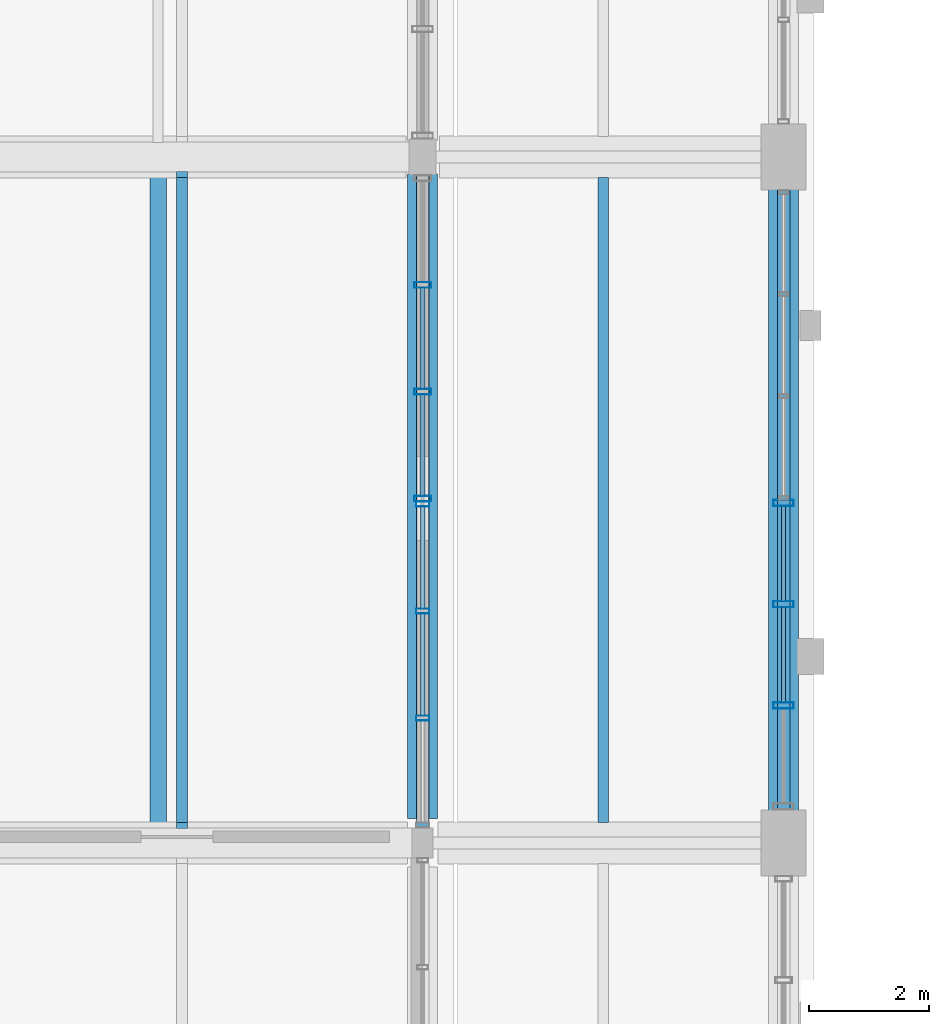
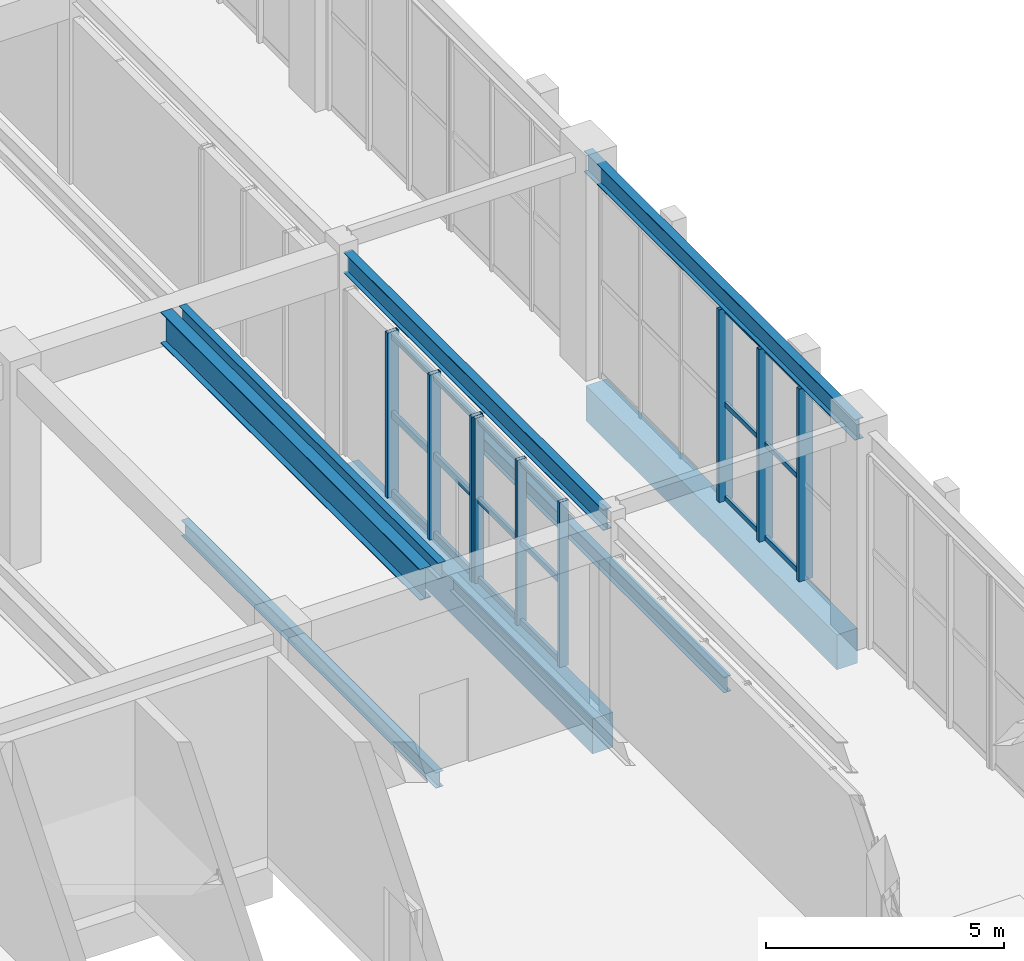
# One storey, part 32 of 113: 27 members, 8 beams, 3 elements without a shape of their own.
"""IFC4 building model written with IfcOpenShell, lengths in metres."""

from ifc_helpers import new_model, si_unit, direction, frame, origin, origin_2d, place, context, subcontext, project, spatial, rectangle, hollow_rectangle, i_section, extrude, material, layer, layer_set, material_profile, profile_set, type_object, element, aggregate, save


model = new_model("IFC4")

# Units and contexts
model_context = context("Model", 3, precision=1e-05, world=origin(), true_north=direction((0.0, 1.0)))
body_context = subcontext(model_context, "Body", "Model", "MODEL_VIEW")
ifc_project = project(units=[si_unit("LENGTHUNIT", "METRE"), si_unit("AREAUNIT", "SQUARE_METRE"), si_unit("VOLUMEUNIT", "CUBIC_METRE"), si_unit("PLANEANGLEUNIT", "RADIAN"), si_unit("MASSUNIT", "GRAM", prefix="KILO"), si_unit("POWERUNIT", "WATT"), si_unit("THERMODYNAMICTEMPERATUREUNIT", "KELVIN")], contexts=[model_context])

# Site, building, storey
site_placement = place(None, origin())
site = spatial("IfcSite", under=ifc_project, at=site_placement, CompositionType="ELEMENT")
building_placement = place(site_placement, origin())
building = spatial("IfcBuilding", under=site, at=building_placement, Name="Kelmbourne Parkland Aquatics Centre", CompositionType="ELEMENT")
storey_placement = place(building_placement, origin())
storey = spatial("IfcBuildingStorey", under=building, at=storey_placement, Name="L00", CompositionType="ELEMENT", Elevation=0.0)

# Beams
ifc_material_1 = material(Name="Concrete C40/50", Category="concrete")
ifc_material_profile_1 = material_profile(ifc_material_1, rectangle(XDim=0.5, YDim=0.89990234375, at=origin_2d()), Name="RC 500x900")
ifc_profile_set_1 = profile_set([ifc_material_profile_1], Name="Concrete C40/50")
beam_type_1 = type_object("IfcBeamType", Name="BM-G03", PredefinedType="BEAM", material=ifc_profile_set_1)
beam_1_placement = place(storey_placement, frame((40.0, 46.804931640625, -0.72998046875), z_axis=(0.0, 1.0, 0.0), x_axis=(-1.0, 0.0, 0.0)))
element("IfcBeam", 1, at=beam_1_placement, inside=storey, type_object=beam_type_1, Name="Primary girder 06-08 Grid F (L00)", PredefinedType="BEAM", context=body_context, shape_type="SweptSolid", body=[
    extrude(rectangle(XDim=0.5, YDim=0.89990234375, at=origin_2d()), origin(), (0.0, 0.0, 1.0), 10.715087890625),
])
beam_2_placement = place(storey_placement, frame((46.0, 46.905029296875, -0.72998046875), z_axis=(0.0, 1.0, 0.0), x_axis=(-1.0, 0.0, 0.0)))
element("IfcBeam", 2, at=beam_2_placement, inside=storey, type_object=beam_type_1, Name="Primary girder 06-08 Grid G (L00)", PredefinedType="BEAM", context=body_context, shape_type="SweptSolid", body=[
    extrude(rectangle(XDim=0.5, YDim=0.89990234375, at=origin_2d()), origin(), (0.0, 0.0, 1.0), 10.56494140625),
])
ifc_material_2 = material(Name="Structural steel AS/NZS 3679.1 Grade 300", Category="steel")
ifc_material_profile_2 = material_profile(ifc_material_2, i_section(OverallWidth=0.177978515625, OverallDepth=0.406005859375, WebThickness=0.0078125, FlangeThickness=0.0126953125, at=origin_2d()), Name="410UB59.7")
ifc_profile_set_2 = profile_set([ifc_material_profile_2], Name="Structural steel AS/NZS 3679.1 Grade 300")
beam_type_2 = type_object("IfcBeamType", Name="BM-J01", PredefinedType="JOIST", material=ifc_profile_set_2)
for number, where, z_axis, x_axis, name in (
    (3, (36.0, 46.741943359375, -0.48291015625), (0.0, 1.0, 0.0), (-1.0, 0.0, 0.0), "Secondary floor joist E-F/06-08 #1 (L00)"),
    (4, (43.0, 46.741943359375, -0.48291015625), (0.0, 1.0, 0.0), (-1.0, 0.0, 0.0), "Secondary floor joist F-G/06-08 #1 (L00)"),
):
    element("IfcBeam", number, at=place(storey_placement, frame(where, z_axis=z_axis, x_axis=x_axis)), inside=storey, type_object=beam_type_2, Name=name, PredefinedType="JOIST", context=body_context, shape_type="SweptSolid", body=[
        extrude(i_section(OverallWidth=0.177978515625, OverallDepth=0.406005859375, WebThickness=0.0078125, FlangeThickness=0.0126953125, at=origin_2d()), origin(), (0.0, 0.0, 1.0), 10.716064453125),
    ])
beam_3_placement = place(storey_placement, frame((36.0, 46.64208984375, 4.95703125), z_axis=(0.0, 1.0, 0.0), x_axis=(-1.0, 0.0, 0.0)))
element("IfcBeam", 5, at=beam_3_placement, inside=storey, type_object=beam_type_2, Name="Secondary floor joist E-F/06-08 #1 (L01)", PredefinedType="JOIST", context=body_context, shape_type="SweptSolid", body=[
    extrude(i_section(OverallWidth=0.177978515625, OverallDepth=0.406005859375, WebThickness=0.0078125, FlangeThickness=0.0126953125, at=origin_2d()), origin(), (0.0, 0.0, 1.0), 10.916015625),
])
ifc_material_3 = material(Name="Welded plate steel AS/NZS 3678 Grade 350", Category="steel")
ifc_material_profile_3 = material_profile(ifc_material_3, i_section(OverallWidth=0.27490234375, OverallDepth=0.800048828125, WebThickness=0.010009765625, FlangeThickness=0.02001953125, at=origin_2d()), Name="800WB146")
ifc_profile_set_3 = profile_set([ifc_material_profile_3], Name="Welded plate steel AS/NZS 3678 Grade 350")
beam_type_3 = type_object("IfcBeamType", Name="BM-S08", PredefinedType="BEAM", material=ifc_profile_set_3)
beam_4_placement = place(storey_placement, frame((35.60009765625, 46.64208984375, 4.760009765625), z_axis=(0.0, 1.0, 0.0), x_axis=(-1.0, 0.0, 0.0)))
element("IfcBeam", 6, at=beam_4_placement, inside=storey, type_object=beam_type_3, Name="Deck secondary trim beam 08", PredefinedType="BEAM", context=body_context, shape_type="SweptSolid", body=[
    extrude(i_section(OverallWidth=0.27490234375, OverallDepth=0.800048828125, WebThickness=0.010009765625, FlangeThickness=0.02001953125, at=origin_2d()), origin(), (0.0, 0.0, 1.0), 10.916015625),
])
ifc_material_profile_4 = material_profile(ifc_material_2, i_section(OverallWidth=0.208984375, OverallDepth=0.532958984375, WebThickness=0.01025390625, FlangeThickness=0.015625, at=origin_2d()), Name="530UB92.4")
ifc_profile_set_4 = profile_set([ifc_material_profile_4], Name="Structural steel AS/NZS 3679.1 Grade 300")
beam_type_4 = type_object("IfcBeamType", Name="BM-SP02", PredefinedType="SPANDREL", material=ifc_profile_set_4)
beam_5_placement = place(storey_placement, frame((40.0, 46.60498046875, 4.8935546875), z_axis=(0.0, 1.0, 0.0), x_axis=(-1.0, 0.0, 0.0)))
element("IfcBeam", 7, at=beam_5_placement, inside=storey, type_object=beam_type_4, Name="Perimeter spandrel 06-08 Grid F (L01)", PredefinedType="SPANDREL", context=body_context, shape_type="SweptSolid", body=[
    extrude(i_section(OverallWidth=0.208984375, OverallDepth=0.532958984375, WebThickness=0.01025390625, FlangeThickness=0.015625, at=origin_2d()), origin(), (0.0, 0.0, 1.0), 10.93994140625),
])
beam_6_placement = place(storey_placement, frame((46.0, 46.39990234375, 5.2333984375), z_axis=(0.0, 1.0, 0.0), x_axis=(-1.0, 0.0, 0.0)))
element("IfcBeam", 8, at=beam_6_placement, inside=storey, type_object=beam_type_4, Name="Perimeter spandrel 06-08 Grid G (L01_COL)", PredefinedType="SPANDREL", context=body_context, shape_type="SweptSolid", body=[
    extrude(i_section(OverallWidth=0.208984375, OverallDepth=0.532958984375, WebThickness=0.01025390625, FlangeThickness=0.015625, at=origin_2d()), origin(), (0.0, 0.0, 1.0), 11.400146484375),
])

# Curtain wall, members
ifc_material_4 = material(Name="Thermally broken anodised aluminium framing", Category="aluminium")
ifc_layer_1 = layer(ifc_material_4, 0.179931640625)
ifc_layer_set_1 = layer_set([ifc_layer_1], Name="Thermally broken anodised aluminium framing")
curtain_wall_type_1 = type_object("IfcCurtainWallType", Name="CW-01", PredefinedType="NOTDEFINED", material=ifc_layer_set_1)
curtain_wall_1_placement = place(storey_placement, origin())
curtain_wall_1 = element("IfcCurtainWall", 9, at=curtain_wall_1_placement, inside=storey, type_object=curtain_wall_type_1, Name="Facade curtain wall CW-L00-217", PredefinedType="NOTDEFINED")
ifc_material_profile_5 = material_profile(ifc_material_4, hollow_rectangle(XDim=0.0849609375, YDim=0.219970703125, WallThickness=0.0048828125, at=origin_2d()), Name="CW-M 85x220")
ifc_profile_set_5 = profile_set([ifc_material_profile_5], Name="Thermally broken anodised aluminium framing")
member_type_1 = type_object("IfcMemberType", Name="MB-MUL-3", PredefinedType="MULLION", material=ifc_profile_set_5)
member_1_placement = place(storey_placement, frame((40.0, 48.473876953125, 0.0), z_axis=(0.0, 0.0, 1.0), x_axis=(0.0, 1.0, 0.0)))
member_1 = element("IfcMember", 10, at=member_1_placement, type_object=member_type_1, Name="CW-L00-217 mullion 1", PredefinedType="MULLION", context=body_context, shape_type="SweptSolid", body=[
    extrude(hollow_rectangle(XDim=0.0849609375, YDim=0.219970703125, WallThickness=0.0048828125, at=origin_2d()), origin(), (0.0, 0.0, 1.0), 4.2451171875),
])
member_2_placement = place(storey_placement, frame((40.0, 50.253173828125, 0.0), z_axis=(0.0, 0.0, 1.0), x_axis=(0.0, 1.0, 0.0)))
member_2 = element("IfcMember", 11, at=member_2_placement, type_object=member_type_1, Name="CW-L00-217 mullion 2", PredefinedType="MULLION", context=body_context, shape_type="SweptSolid", body=[
    extrude(hollow_rectangle(XDim=0.0849609375, YDim=0.219970703125, WallThickness=0.0048828125, at=origin_2d()), origin(), (0.0, 0.0, 1.0), 4.2451171875),
])
member_3_placement = place(storey_placement, frame((40.0, 52.032470703125, 0.0), z_axis=(0.0, 0.0, 1.0), x_axis=(0.0, 1.0, 0.0)))
member_3 = element("IfcMember", 12, at=member_3_placement, type_object=member_type_1, Name="CW-L00-217 mullion 3", PredefinedType="MULLION", context=body_context, shape_type="SweptSolid", body=[
    extrude(hollow_rectangle(XDim=0.0849609375, YDim=0.219970703125, WallThickness=0.0048828125, at=origin_2d()), origin(), (0.0, 0.0, 1.0), 4.2451171875),
])

ifc_layer_2 = layer(ifc_material_4, 0.179931640625)
ifc_layer_set_2 = layer_set([ifc_layer_2], Name="Thermally broken anodised aluminium framing")
curtain_wall_type_2 = type_object("IfcCurtainWallType", Name="CW-02", PredefinedType="NOTDEFINED", material=ifc_layer_set_2)
curtain_wall_2_placement = place(storey_placement, origin())
curtain_wall_2 = element("IfcCurtainWall", 13, at=curtain_wall_2_placement, inside=storey, type_object=curtain_wall_type_2, Name="Facade curtain wall CW-L00-218", PredefinedType="NOTDEFINED")
ifc_material_profile_6 = material_profile(ifc_material_4, hollow_rectangle(XDim=0.094970703125, YDim=0.280029296875, WallThickness=0.005615234375, at=origin_2d()), Name="CW-M 95x280")
ifc_profile_set_6 = profile_set([ifc_material_profile_6], Name="Thermally broken anodised aluminium framing")
member_type_2 = type_object("IfcMemberType", Name="MB-MUL-4", PredefinedType="MULLION", material=ifc_profile_set_6)
member_4_placement = place(storey_placement, frame((40.0, 52.12255859375, 0.0), z_axis=(0.0, 0.0, 1.0), x_axis=(0.0, 1.0, 0.0)))
member_4 = element("IfcMember", 14, at=member_4_placement, type_object=member_type_2, Name="CW-L00-218 mullion 0", PredefinedType="MULLION", context=body_context, shape_type="SweptSolid", body=[
    extrude(hollow_rectangle(XDim=0.094970703125, YDim=0.280029296875, WallThickness=0.005615234375, at=origin_2d()), origin(), (0.0, 0.0, 1.0), 4.2451171875),
])
member_5_placement = place(storey_placement, frame((40.0, 53.8984375, 0.0), z_axis=(0.0, 0.0, 1.0), x_axis=(0.0, 1.0, 0.0)))
member_5 = element("IfcMember", 15, at=member_5_placement, type_object=member_type_2, Name="CW-L00-218 mullion 1", PredefinedType="MULLION", context=body_context, shape_type="SweptSolid", body=[
    extrude(hollow_rectangle(XDim=0.094970703125, YDim=0.280029296875, WallThickness=0.005615234375, at=origin_2d()), origin(), (0.0, 0.0, 1.0), 4.2451171875),
])
member_6_placement = place(storey_placement, frame((40.0, 55.674560546875, 0.0), z_axis=(0.0, 0.0, 1.0), x_axis=(0.0, 1.0, 0.0)))
member_6 = element("IfcMember", 16, at=member_6_placement, type_object=member_type_2, Name="CW-L00-218 mullion 2", PredefinedType="MULLION", context=body_context, shape_type="SweptSolid", body=[
    extrude(hollow_rectangle(XDim=0.094970703125, YDim=0.280029296875, WallThickness=0.005615234375, at=origin_2d()), origin(), (0.0, 0.0, 1.0), 4.2451171875),
])

ifc_layer_3 = layer(ifc_material_4, 0.179931640625)
ifc_layer_set_3 = layer_set([ifc_layer_3], Name="Thermally broken anodised aluminium framing")
curtain_wall_type_3 = type_object("IfcCurtainWallType", Name="CW-06", PredefinedType="NOTDEFINED", material=ifc_layer_set_3)
curtain_wall_3_placement = place(storey_placement, origin())
curtain_wall_3 = element("IfcCurtainWall", 17, at=curtain_wall_3_placement, inside=storey, type_object=curtain_wall_type_3, Name="Facade curtain wall CW-L00-174", PredefinedType="NOTDEFINED")
ifc_material_profile_7 = material_profile(ifc_material_4, hollow_rectangle(XDim=0.10498046875, YDim=0.340087890625, WallThickness=0.006103515625, at=origin_2d()), Name="CW-M 105x340")
ifc_profile_set_7 = profile_set([ifc_material_profile_7], Name="Thermally broken anodised aluminium framing")
member_type_3 = type_object("IfcMemberType", Name="MB-MUL-5", PredefinedType="MULLION", material=ifc_profile_set_7)
member_7_placement = place(storey_placement, frame((46.0, 48.685546875, 0.0), z_axis=(0.0, 0.0, 1.0), x_axis=(0.0, 1.0, 0.0)))
member_7 = element("IfcMember", 18, at=member_7_placement, type_object=member_type_3, Name="CW-L00-174 mullion 1", PredefinedType="MULLION", context=body_context, shape_type="SweptSolid", body=[
    extrude(hollow_rectangle(XDim=0.10498046875, YDim=0.340087890625, WallThickness=0.006103515625, at=origin_2d()), origin(), (0.0, 0.0, 1.0), 4.951904296875),
])
member_8_placement = place(storey_placement, frame((46.0, 50.366455078125, 0.0), z_axis=(0.0, 0.0, 1.0), x_axis=(0.0, 1.0, 0.0)))
member_8 = element("IfcMember", 19, at=member_8_placement, type_object=member_type_3, Name="CW-L00-174 mullion 2", PredefinedType="MULLION", context=body_context, shape_type="SweptSolid", body=[
    extrude(hollow_rectangle(XDim=0.10498046875, YDim=0.340087890625, WallThickness=0.006103515625, at=origin_2d()), origin(), (0.0, 0.0, 1.0), 4.951904296875),
])
member_9_placement = place(storey_placement, frame((46.0, 52.047607421875, 0.0), z_axis=(0.0, 0.0, 1.0), x_axis=(0.0, 1.0, 0.0)))
member_9 = element("IfcMember", 20, at=member_9_placement, type_object=member_type_3, Name="CW-L00-174 mullion 3", PredefinedType="MULLION", context=body_context, shape_type="SweptSolid", body=[
    extrude(hollow_rectangle(XDim=0.10498046875, YDim=0.340087890625, WallThickness=0.006103515625, at=origin_2d()), origin(), (0.0, 0.0, 1.0), 4.951904296875),
])
ifc_material_profile_8 = material_profile(ifc_material_4, hollow_rectangle(XDim=0.06494140625, YDim=0.1201171875, WallThickness=0.00341796875, at=origin_2d()), Name="CW-T 65x120")
ifc_profile_set_8 = profile_set([ifc_material_profile_8], Name="Thermally broken anodised aluminium framing")
member_type_4 = type_object("IfcMemberType", Name="MB-TRN-1", PredefinedType="USERDEFINED", material=ifc_profile_set_8)
member_10_placement = place(storey_placement, frame((46.0, 48.73388671875, 0.06298828125), z_axis=(0.0, 1.0, 0.0), x_axis=(-1.0, 0.0, 0.0)))
member_10 = element("IfcMember", 21, at=member_10_placement, type_object=member_type_4, Name="CW-L00-174 transom 0-1", ObjectType="TRANSOM", PredefinedType="USERDEFINED", context=body_context, shape_type="SweptSolid", body=[
    extrude(hollow_rectangle(XDim=0.06494140625, YDim=0.1201171875, WallThickness=0.00341796875, at=origin_2d()), origin(), (0.0, 0.0, 1.0), 1.584228515625),
])
member_11_placement = place(storey_placement, frame((46.0, 50.4150390625, 0.06298828125), z_axis=(0.0, 1.0, 0.0), x_axis=(-1.0, 0.0, 0.0)))
member_11 = element("IfcMember", 22, at=member_11_placement, type_object=member_type_4, Name="CW-L00-174 transom 0-2", ObjectType="TRANSOM", PredefinedType="USERDEFINED", context=body_context, shape_type="SweptSolid", body=[
    extrude(hollow_rectangle(XDim=0.06494140625, YDim=0.1201171875, WallThickness=0.00341796875, at=origin_2d()), origin(), (0.0, 0.0, 1.0), 1.583984375),
])
member_12_placement = place(storey_placement, frame((46.0, 48.73388671875, 2.47607421875), z_axis=(0.0, 1.0, 0.0), x_axis=(-1.0, 0.0, 0.0)))
member_12 = element("IfcMember", 23, at=member_12_placement, type_object=member_type_4, Name="CW-L00-174 transom 1-1", ObjectType="TRANSOM", PredefinedType="USERDEFINED", context=body_context, shape_type="SweptSolid", body=[
    extrude(hollow_rectangle(XDim=0.06494140625, YDim=0.1201171875, WallThickness=0.00341796875, at=origin_2d()), origin(), (0.0, 0.0, 1.0), 1.584228515625),
])
member_13_placement = place(storey_placement, frame((46.0, 50.4150390625, 2.47607421875), z_axis=(0.0, 1.0, 0.0), x_axis=(-1.0, 0.0, 0.0)))
member_13 = element("IfcMember", 24, at=member_13_placement, type_object=member_type_4, Name="CW-L00-174 transom 1-2", ObjectType="TRANSOM", PredefinedType="USERDEFINED", context=body_context, shape_type="SweptSolid", body=[
    extrude(hollow_rectangle(XDim=0.06494140625, YDim=0.1201171875, WallThickness=0.00341796875, at=origin_2d()), origin(), (0.0, 0.0, 1.0), 1.583984375),
])
member_14_placement = place(storey_placement, frame((46.0, 48.73388671875, 4.888916015625), z_axis=(0.0, 1.0, 0.0), x_axis=(-1.0, 0.0, 0.0)))
member_14 = element("IfcMember", 25, at=member_14_placement, type_object=member_type_4, Name="CW-L00-174 transom 2-1", ObjectType="TRANSOM", PredefinedType="USERDEFINED", context=body_context, shape_type="SweptSolid", body=[
    extrude(hollow_rectangle(XDim=0.06494140625, YDim=0.1201171875, WallThickness=0.00341796875, at=origin_2d()), origin(), (0.0, 0.0, 1.0), 1.584228515625),
])
member_15_placement = place(storey_placement, frame((46.0, 50.4150390625, 4.888916015625), z_axis=(0.0, 1.0, 0.0), x_axis=(-1.0, 0.0, 0.0)))
member_15 = element("IfcMember", 26, at=member_15_placement, type_object=member_type_4, Name="CW-L00-174 transom 2-2", ObjectType="TRANSOM", PredefinedType="USERDEFINED", context=body_context, shape_type="SweptSolid", body=[
    extrude(hollow_rectangle(XDim=0.06494140625, YDim=0.1201171875, WallThickness=0.00341796875, at=origin_2d()), origin(), (0.0, 0.0, 1.0), 1.583984375),
])
aggregate(curtain_wall_3, [member_7, member_8, member_9, member_10, member_11, member_12, member_13, member_14, member_15])

# Member
ifc_material_profile_9 = material_profile(ifc_material_4, hollow_rectangle(XDim=0.074951171875, YDim=0.14990234375, WallThickness=0.00390625, at=origin_2d()), Name="CW-T 75x150")
ifc_profile_set_9 = profile_set([ifc_material_profile_9], Name="Thermally broken anodised aluminium framing")
member_type_5 = type_object("IfcMemberType", Name="MB-TRN-2", PredefinedType="USERDEFINED", material=ifc_profile_set_9)
member_16_placement = place(storey_placement, frame((40.0, 48.51220703125, 0.077880859375), z_axis=(0.0, 1.0, 0.0), x_axis=(-1.0, 0.0, 0.0)))
member_16 = element("IfcMember", 27, at=member_16_placement, type_object=member_type_5, Name="CW-L00-217 transom 0-1", ObjectType="TRANSOM", PredefinedType="USERDEFINED", context=body_context, shape_type="SweptSolid", body=[
    extrude(hollow_rectangle(XDim=0.074951171875, YDim=0.14990234375, WallThickness=0.00390625, at=origin_2d()), origin(), (0.0, 0.0, 1.0), 1.702392578125),
])

member_17_placement = place(storey_placement, frame((40.0, 50.291748046875, 0.077880859375), z_axis=(0.0, 1.0, 0.0), x_axis=(-1.0, 0.0, 0.0)))
member_17 = element("IfcMember", 28, at=member_17_placement, type_object=member_type_5, Name="CW-L00-217 transom 0-2", ObjectType="TRANSOM", PredefinedType="USERDEFINED", context=body_context, shape_type="SweptSolid", body=[
    extrude(hollow_rectangle(XDim=0.074951171875, YDim=0.14990234375, WallThickness=0.00390625, at=origin_2d()), origin(), (0.0, 0.0, 1.0), 1.7021484375),
])

member_18_placement = place(storey_placement, frame((40.0, 48.51220703125, 2.12255859375), z_axis=(0.0, 1.0, 0.0), x_axis=(-1.0, 0.0, 0.0)))
member_18 = element("IfcMember", 29, at=member_18_placement, type_object=member_type_5, Name="CW-L00-217 transom 1-1", ObjectType="TRANSOM", PredefinedType="USERDEFINED", context=body_context, shape_type="SweptSolid", body=[
    extrude(hollow_rectangle(XDim=0.074951171875, YDim=0.14990234375, WallThickness=0.00390625, at=origin_2d()), origin(), (0.0, 0.0, 1.0), 1.702392578125),
])

member_19_placement = place(storey_placement, frame((40.0, 50.291748046875, 2.12255859375), z_axis=(0.0, 1.0, 0.0), x_axis=(-1.0, 0.0, 0.0)))
member_19 = element("IfcMember", 30, at=member_19_placement, type_object=member_type_5, Name="CW-L00-217 transom 1-2", ObjectType="TRANSOM", PredefinedType="USERDEFINED", context=body_context, shape_type="SweptSolid", body=[
    extrude(hollow_rectangle(XDim=0.074951171875, YDim=0.14990234375, WallThickness=0.00390625, at=origin_2d()), origin(), (0.0, 0.0, 1.0), 1.7021484375),
])

member_20_placement = place(storey_placement, frame((40.0, 48.51220703125, 4.1669921875), z_axis=(0.0, 1.0, 0.0), x_axis=(-1.0, 0.0, 0.0)))
member_20 = element("IfcMember", 31, at=member_20_placement, type_object=member_type_5, Name="CW-L00-217 transom 2-1", ObjectType="TRANSOM", PredefinedType="USERDEFINED", context=body_context, shape_type="SweptSolid", body=[
    extrude(hollow_rectangle(XDim=0.074951171875, YDim=0.14990234375, WallThickness=0.00390625, at=origin_2d()), origin(), (0.0, 0.0, 1.0), 1.702392578125),
])

member_21_placement = place(storey_placement, frame((40.0, 50.291748046875, 4.1669921875), z_axis=(0.0, 1.0, 0.0), x_axis=(-1.0, 0.0, 0.0)))
member_21 = element("IfcMember", 32, at=member_21_placement, type_object=member_type_5, Name="CW-L00-217 transom 2-2", ObjectType="TRANSOM", PredefinedType="USERDEFINED", context=body_context, shape_type="SweptSolid", body=[
    extrude(hollow_rectangle(XDim=0.074951171875, YDim=0.14990234375, WallThickness=0.00390625, at=origin_2d()), origin(), (0.0, 0.0, 1.0), 1.7021484375),
])

aggregate(curtain_wall_1, [member_1, member_2, member_3, member_16, member_17, member_18, member_19, member_20, member_21])

ifc_material_profile_10 = material_profile(ifc_material_4, hollow_rectangle(XDim=0.0849609375, YDim=0.179931640625, WallThickness=0.00439453125, at=origin_2d()), Name="CW-T 85x180")
ifc_profile_set_10 = profile_set([ifc_material_profile_10], Name="Thermally broken anodised aluminium framing")
member_type_6 = type_object("IfcMemberType", Name="MB-TRN-3", PredefinedType="USERDEFINED", material=ifc_profile_set_10)
member_22_placement = place(storey_placement, frame((40.0, 52.166015625, 0.093017578125), z_axis=(0.0, 1.0, 0.0), x_axis=(-1.0, 0.0, 0.0)))
member_22 = element("IfcMember", 33, at=member_22_placement, type_object=member_type_6, Name="CW-L00-218 transom 0-0", ObjectType="TRANSOM", PredefinedType="USERDEFINED", context=body_context, shape_type="SweptSolid", body=[
    extrude(hollow_rectangle(XDim=0.0849609375, YDim=0.179931640625, WallThickness=0.00439453125, at=origin_2d()), origin(), (0.0, 0.0, 1.0), 1.68896484375),
])

member_23_placement = place(storey_placement, frame((40.0, 53.94189453125, 0.093017578125), z_axis=(0.0, 1.0, 0.0), x_axis=(-1.0, 0.0, 0.0)))
member_23 = element("IfcMember", 34, at=member_23_placement, type_object=member_type_6, Name="CW-L00-218 transom 0-1", ObjectType="TRANSOM", PredefinedType="USERDEFINED", context=body_context, shape_type="SweptSolid", body=[
    extrude(hollow_rectangle(XDim=0.0849609375, YDim=0.179931640625, WallThickness=0.00439453125, at=origin_2d()), origin(), (0.0, 0.0, 1.0), 1.689208984375),
])

member_24_placement = place(storey_placement, frame((40.0, 52.166015625, 2.12255859375), z_axis=(0.0, 1.0, 0.0), x_axis=(-1.0, 0.0, 0.0)))
member_24 = element("IfcMember", 35, at=member_24_placement, type_object=member_type_6, Name="CW-L00-218 transom 1-0", ObjectType="TRANSOM", PredefinedType="USERDEFINED", context=body_context, shape_type="SweptSolid", body=[
    extrude(hollow_rectangle(XDim=0.0849609375, YDim=0.179931640625, WallThickness=0.00439453125, at=origin_2d()), origin(), (0.0, 0.0, 1.0), 1.68896484375),
])

member_25_placement = place(storey_placement, frame((40.0, 53.94189453125, 2.12255859375), z_axis=(0.0, 1.0, 0.0), x_axis=(-1.0, 0.0, 0.0)))
member_25 = element("IfcMember", 36, at=member_25_placement, type_object=member_type_6, Name="CW-L00-218 transom 1-1", ObjectType="TRANSOM", PredefinedType="USERDEFINED", context=body_context, shape_type="SweptSolid", body=[
    extrude(hollow_rectangle(XDim=0.0849609375, YDim=0.179931640625, WallThickness=0.00439453125, at=origin_2d()), origin(), (0.0, 0.0, 1.0), 1.689208984375),
])

member_26_placement = place(storey_placement, frame((40.0, 52.166015625, 4.152099609375), z_axis=(0.0, 1.0, 0.0), x_axis=(-1.0, 0.0, 0.0)))
member_26 = element("IfcMember", 37, at=member_26_placement, type_object=member_type_6, Name="CW-L00-218 transom 2-0", ObjectType="TRANSOM", PredefinedType="USERDEFINED", context=body_context, shape_type="SweptSolid", body=[
    extrude(hollow_rectangle(XDim=0.0849609375, YDim=0.179931640625, WallThickness=0.00439453125, at=origin_2d()), origin(), (0.0, 0.0, 1.0), 1.68896484375),
])

member_27_placement = place(storey_placement, frame((40.0, 53.94189453125, 4.152099609375), z_axis=(0.0, 1.0, 0.0), x_axis=(-1.0, 0.0, 0.0)))
member_27 = element("IfcMember", 38, at=member_27_placement, type_object=member_type_6, Name="CW-L00-218 transom 2-1", ObjectType="TRANSOM", PredefinedType="USERDEFINED", context=body_context, shape_type="SweptSolid", body=[
    extrude(hollow_rectangle(XDim=0.0849609375, YDim=0.179931640625, WallThickness=0.00439453125, at=origin_2d()), origin(), (0.0, 0.0, 1.0), 1.689208984375),
])

aggregate(curtain_wall_2, [member_4, member_5, member_6, member_22, member_23, member_24, member_25, member_26, member_27])

save(model, "model.ifc")
